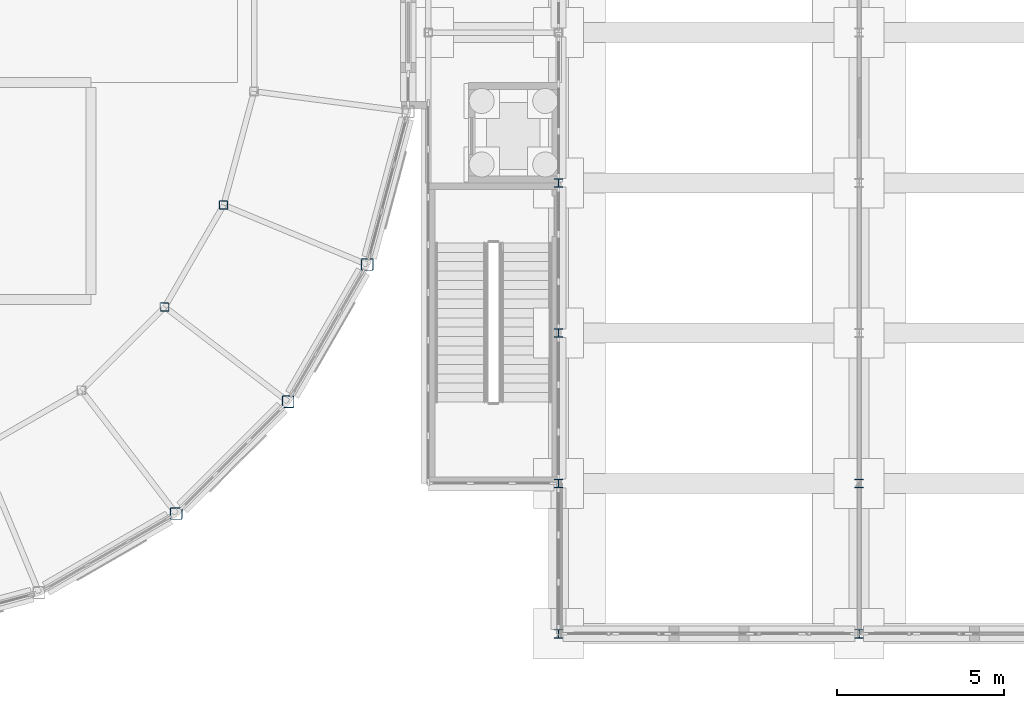
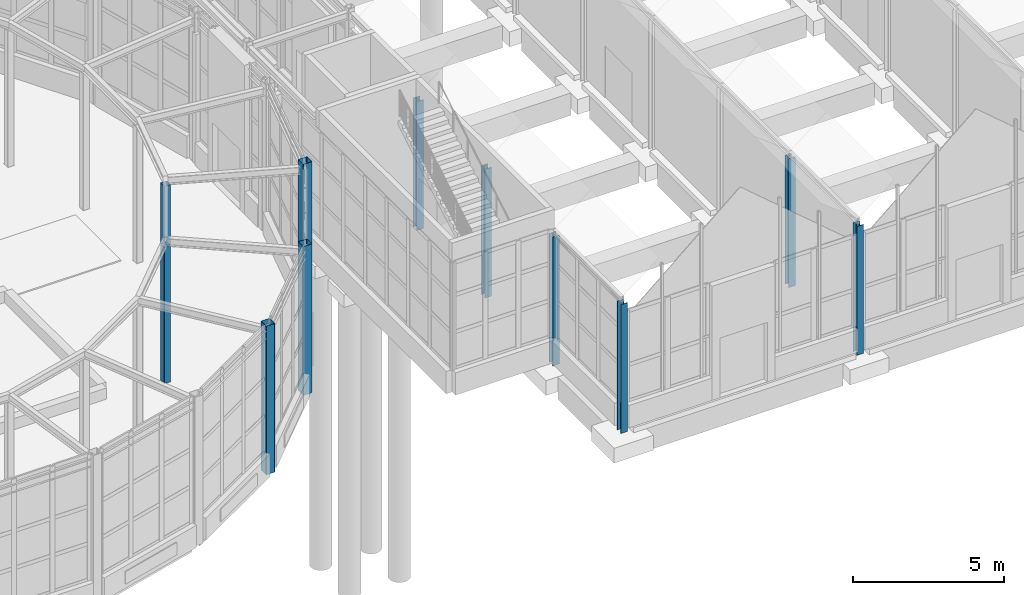
# One storey, part 15 of 106: 11 columns.
"""IFC4 building model written with IfcOpenShell, lengths in metres."""

from ifc_helpers import new_model, si_unit, direction, frame, origin, origin_2d, place, context, subcontext, project, spatial, hollow_rectangle, i_section, extrude, material, material_profile, profile_set, type_object, element, save


model = new_model("IFC4")

# Units and contexts
model_context = context("Model", 3, precision=1e-05, world=origin(), true_north=direction((0.0, 1.0)))
body_context = subcontext(model_context, "Body", "Model", "MODEL_VIEW")
ifc_project = project(units=[si_unit("LENGTHUNIT", "METRE"), si_unit("AREAUNIT", "SQUARE_METRE"), si_unit("VOLUMEUNIT", "CUBIC_METRE"), si_unit("PLANEANGLEUNIT", "RADIAN"), si_unit("MASSUNIT", "GRAM", prefix="KILO")], contexts=[model_context])

# Site, building, storey
site_placement = place(None, origin())
site = spatial("IfcSite", under=ifc_project, at=site_placement, CompositionType="ELEMENT")
building_placement = place(site_placement, origin())
building = spatial("IfcBuilding", under=site, at=building_placement, Name="Hortulan Conservatory and Botanical Research Centre", CompositionType="ELEMENT")
storey_placement = place(building_placement, origin())
storey = spatial("IfcBuildingStorey", under=building, at=storey_placement, Name="L00", CompositionType="ELEMENT", Elevation=0.0)

# Columns
ifc_material_1 = material(Name="Steel Grade 300PLUS (AS/NZS 3679.1, 280 MPa minimum yield)", Category="steel")
ifc_material_profile_1 = material_profile(ifc_material_1, i_section(OverallWidth=0.25390625, OverallDepth=0.25390625, WebThickness=0.008544921875, FlangeThickness=0.01416015625, FilletRadius=0.013916015625, at=origin_2d()), Name="250UC72.9")
ifc_profile_set_1 = profile_set([ifc_material_profile_1], Name="Steel Grade 300PLUS (AS/NZS 3679.1, 280 MPa minimum yield)")
column_type_1 = type_object("IfcColumnType", Name="Climate House Column 250UC72.9", PredefinedType="COLUMN", material=ifc_profile_set_1)
for number, where, z_axis, x_axis, name in (
    (1, (76.5, 0.0, -0.199951171875), (0.0, 0.0, 1.0), (1.0, 0.0, 0.0), "Climate house column F1-1"),
    (2, (76.5, 4.5, -0.199951171875), (0.0, 0.0, 1.0), (1.0, 0.0, 0.0), "Climate house column F1-2"),
    (3, (76.5, 9.0, -0.199951171875), (0.0, 0.0, 1.0), (1.0, 0.0, 0.0), "Climate house column F1-3"),
    (4, (76.5, 13.5, -0.199951171875), (0.0, 0.0, 1.0), (1.0, 0.0, 0.0), "Climate house column F1-4"),
    (5, (85.5, 0.0, -0.199951171875), (0.0, 0.0, 1.0), (1.0, 0.0, 0.0), "Climate house column F2-1"),
    (6, (85.5, 4.5, -0.199951171875), (0.0, 0.0, 1.0), (1.0, 0.0, 0.0), "Climate house column F2-2"),
):
    element("IfcColumn", number, at=place(storey_placement, frame(where, z_axis=z_axis, x_axis=x_axis)), inside=storey, type_object=column_type_1, Name=name, PredefinedType="COLUMN", context=body_context, shape_type="SweptSolid", body=[
        extrude(i_section(OverallWidth=0.25390625, OverallDepth=0.25390625, WebThickness=0.008544921875, FlangeThickness=0.01416015625, FilletRadius=0.013916015625, at=origin_2d()), origin(), (0.0, 0.0, 1.0), 5.199951171875),
    ])
ifc_material_2 = material(Name="Steel Grade C450L0 (450 MPa, AS/NZS 1163)", Category="steel")
ifc_material_profile_2 = material_profile(ifc_material_2, hollow_rectangle(XDim=0.35009765625, YDim=0.35009765625, WallThickness=0.012451171875, InnerFilletRadius=0.018798828125, OuterFilletRadius=0.03125, at=origin_2d()), Name="350x350x12.5SHS")
ifc_profile_set_2 = profile_set([ifc_material_profile_2], Name="Steel Grade C450L0 (450 MPa, AS/NZS 1163)")
column_type_2 = type_object("IfcColumnType", Name="Dome Drum Column 350x350x12.5 SHS", PredefinedType="COLUMN", material=ifc_profile_set_2)
for number, where, z_axis, x_axis, name in (
    (7, (65.05224609375, 3.596435546875, 0.0), (0.0, 0.0, 1.0), (1.0, 0.0, 0.0), "Dome drum column 21 L00"),
    (8, (68.403564453125, 6.94775390625, 0.0), (0.0, 0.0, 1.0), (1.0, 0.0, 0.0), "Dome drum column 22 L00"),
    (9, (70.773193359375, 11.05224609375, 0.0), (0.0, 0.0, 1.0), (1.0, 0.0, 0.0), "Dome drum column 23 L00"),
):
    element("IfcColumn", number, at=place(storey_placement, frame(where, z_axis=z_axis, x_axis=x_axis)), inside=storey, type_object=column_type_2, Name=name, PredefinedType="COLUMN", context=body_context, shape_type="SweptSolid", body=[
        extrude(hollow_rectangle(XDim=0.35009765625, YDim=0.35009765625, WallThickness=0.012451171875, InnerFilletRadius=0.018798828125, OuterFilletRadius=0.03125, at=origin_2d()), origin(), (0.0, 0.0, 1.0), 6.0),
    ])
ifc_material_profile_3 = material_profile(ifc_material_2, hollow_rectangle(XDim=0.25, YDim=0.25, WallThickness=0.009033203125, InnerFilletRadius=0.013427734375, OuterFilletRadius=0.0224609375, at=origin_2d()), Name="250x250x9SHS")
ifc_profile_set_3 = profile_set([ifc_material_profile_3], Name="Steel Grade C450L0 (450 MPa, AS/NZS 1163)")
column_type_3 = type_object("IfcColumnType", Name="Dome Walk Support Column 250x250x9 SHS", PredefinedType="COLUMN", material=ifc_profile_set_3)
for number, where, z_axis, x_axis, name in (
    (10, (64.710205078125, 9.78173828125, 0.0), (0.0, 0.0, 1.0), (1.0, 0.0, 0.0), "Dome walk support 22 L00"),
    (11, (66.472412109375, 12.833740234375, 0.0), (0.0, 0.0, 1.0), (1.0, 0.0, 0.0), "Dome walk support 23 L00"),
):
    element("IfcColumn", number, at=place(storey_placement, frame(where, z_axis=z_axis, x_axis=x_axis)), inside=storey, type_object=column_type_3, Name=name, PredefinedType="COLUMN", context=body_context, shape_type="SweptSolid", body=[
        extrude(hollow_rectangle(XDim=0.25, YDim=0.25, WallThickness=0.009033203125, InnerFilletRadius=0.013427734375, OuterFilletRadius=0.0224609375, at=origin_2d()), origin(), (0.0, 0.0, 1.0), 5.492919921875),
    ])

save(model, "model.ifc")
